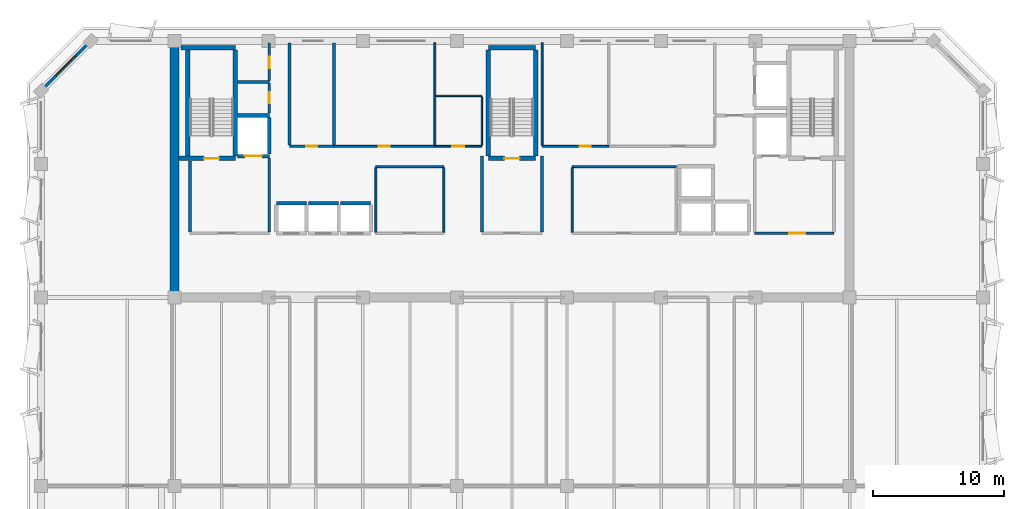
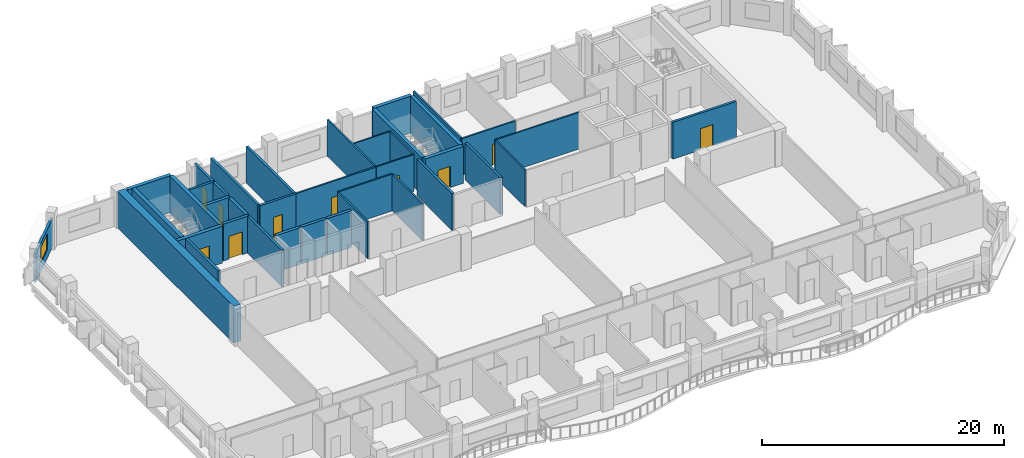
# One storey, part 6 of 11: 39 walls, 10 doors, 1 window, 11 openings.
"""IFC4 building model written with IfcOpenShell, lengths in metres."""

from ifc_helpers import new_model, si_unit, direction, frame, frame_2d, origin, place, context, subcontext, project, spatial, rectangle, extrude, material, layer, layer_set, type_object, element, fill, save


model = new_model("IFC4")

# Units and contexts
model_context = context("Model", 3, precision=1e-05, world=origin(), true_north=direction((0.0, 1.0)))
body_context = subcontext(model_context, "Body", "Model", "MODEL_VIEW")
ifc_project = project(units=[si_unit("LENGTHUNIT", "METRE"), si_unit("AREAUNIT", "SQUARE_METRE"), si_unit("VOLUMEUNIT", "CUBIC_METRE"), si_unit("PLANEANGLEUNIT", "RADIAN"), si_unit("MASSUNIT", "GRAM", prefix="KILO")], contexts=[model_context])

# Site, building, storey
site_placement = place(None, origin())
site = spatial("IfcSite", under=ifc_project, at=site_placement, CompositionType="ELEMENT")
building_placement = place(site_placement, origin())
building = spatial("IfcBuilding", under=site, at=building_placement, Name="Kaelvorn Grand Hotel", CompositionType="ELEMENT")
storey_placement = place(building_placement, frame((0.0, 0.0, 237.050048828125)))
storey = spatial("IfcBuildingStorey", under=building, at=storey_placement, Name="L58", CompositionType="ELEMENT", Elevation=237.050048828125)

# Wall
ifc_material_1 = material(Name="Concrete C50/60", Category="concrete")
ifc_layer_1 = layer(ifc_material_1, 0.699951171875)
ifc_layer_set_1 = layer_set([ifc_layer_1], Name="Concrete C50/60")
wall_type_1 = type_object("IfcWallType", Name="WL-CORE-700-C50", PredefinedType="SHEAR", material=ifc_layer_set_1)
wall_1_placement = place(storey_placement, frame((16.199951171875, 29.39990234375, 0.0), z_axis=(0.0, 0.0, 1.0), x_axis=(0.0, 1.0, 0.0)))
element("IfcWall", 1, at=wall_1_placement, inside=storey, type_object=wall_type_1, Name="L58 Rear-Core West Shear Wall", PredefinedType="SHEAR", context=body_context, shape_type="SweptSolid", body=[
    extrude(rectangle(XDim=19.2001953125, YDim=0.699951171875, at=frame_2d((9.60009765625, 0.0))), origin(), (0.0, 0.0, 1.0), 3.7099609375),
])

# Wall, opening, window
ifc_material_2 = material(Name="Concrete C40/50", Category="concrete")
ifc_layer_2 = layer(ifc_material_2, 0.219970703125)
ifc_layer_set_2 = layer_set([ifc_layer_2], Name="Concrete C40/50")
wall_type_2 = type_object("IfcWallType", Name="WL-EXT-220-C40", PredefinedType="SOLIDWALL", material=ifc_layer_set_2)
wall_2_placement = place(storey_placement, frame((9.800048828125, 49.0, 0.0), z_axis=(0.0, 0.0, 1.0), x_axis=(-0.707106781187, -0.707106781187, 0.0)))
wall_2 = element("IfcWall", 2, at=wall_2_placement, inside=storey, type_object=wall_type_2, Name="L58 Exterior Architectural Concrete Wall 06", PredefinedType="SOLIDWALL", context=body_context, shape_type="SweptSolid", body=[
    extrude(rectangle(XDim=5.3740234375, YDim=0.219970703125, at=frame_2d((2.68701171875, 0.0))), origin(), (0.0, 0.0, 1.0), 2.909912109375),
])
opening_1_placement = place(wall_2_placement, frame((1.636962890625, 0.0, 0.85009765625)))
opening_1 = element("IfcOpeningElement", 3, at=opening_1_placement, cuts=wall_2, Name="Opening W7", PredefinedType="OPENING", context=body_context, shape_type="SweptSolid", body=[
    extrude(rectangle(XDim=2.10009765625, YDim=1.60009765625, at=frame_2d((1.050048828125, 0.800048828125))), frame((0.0, 0.1201171875, 0.0), z_axis=(0.0, -1.0, 0.0), x_axis=(1.0, 0.0, 0.0)), (0.0, 0.0, 1.0), 0.239990234375),
])
ifc_material_3 = material(Name="Laminated Low-E Glass", Category="glass")
window_type = type_object("IfcWindowType", Name="WIN-CHM-2100x1600", PartitioningType="SINGLE_PANEL", PredefinedType="WINDOW", material=ifc_material_3)
window_placement = place(opening_1_placement, origin())
window = element("IfcWindow", 4, at=window_placement, inside=storey, type_object=window_type, Name="L58 Chamfered 45-Degree Corner Window NW", OverallHeight=1.60009765625, OverallWidth=2.10009765625, PartitioningType="SINGLE_PANEL", PredefinedType="WINDOW", context=body_context, shape_type="SweptSolid", body=[
    extrude(rectangle(XDim=2.10009765625, YDim=1.60009765625, at=frame_2d((1.050048828125, 0.800048828125))), frame((0.0, 0.030029296875, 0.0), z_axis=(0.0, -1.0, 0.0), x_axis=(1.0, 0.0, 0.0)), (0.0, 0.0, 1.0), 0.06005859375),
])
fill(opening_1, window)

# Wall, opening, door
ifc_material_4 = material(Name="Moisture-Resistant Tile & Stud Board")
ifc_layer_3 = layer(ifc_material_4, 0.125)
ifc_layer_set_3 = layer_set([ifc_layer_3], Name="Moisture-Resistant Tile & Stud Board")
wall_type_3 = type_object("IfcWallType", Name="WL-PART-125-WET", PredefinedType="PARTITIONING", material=ifc_layer_set_3)
wall_3_placement = place(storey_placement, frame((36.110107421875, 40.949951171875, 0.0), z_axis=(0.0, 0.0, 1.0), x_axis=(1.0, 0.0, 0.0)))
wall_3 = element("IfcWall", 5, at=wall_3_placement, inside=storey, type_object=wall_type_3, Name="L58 Accessible WC S Partition", PredefinedType="PARTITIONING", context=body_context, shape_type="SweptSolid", body=[
    extrude(rectangle(XDim=3.58984375, YDim=0.125, at=frame_2d((1.794921875, 0.0))), origin(), (0.0, 0.0, 1.0), 3.7099609375),
])
opening_2_placement = place(wall_3_placement, frame((1.340087890625, 0.0, 0.0)))
opening_2 = element("IfcOpeningElement", 6, at=opening_2_placement, cuts=wall_3, Name="Opening DI4", PredefinedType="OPENING", context=body_context, shape_type="SweptSolid", body=[
    extrude(rectangle(XDim=0.89990234375, YDim=2.10009765625, at=frame_2d((0.449951171875, 1.050048828125))), frame((0.0, 0.072509765625, 0.0), z_axis=(0.0, -1.0, 0.0), x_axis=(1.0, 0.0, 0.0)), (0.0, 0.0, 1.0), 0.14501953125),
])
ifc_material_5 = material(Name="Timber Veneer Leaf", Category="wood")
door_type_1 = type_object("IfcDoorType", Name="DR-INT-BATH-900x2100", OperationType="NOTDEFINED", PredefinedType="DOOR", material=ifc_material_5)
door_1_placement = place(opening_2_placement, origin())
door_1 = element("IfcDoor", 7, at=door_1_placement, inside=storey, type_object=door_type_1, Name="L58 Accessible WC Door", OperationType="SINGLE_SWING_LEFT", OverallHeight=2.10009765625, OverallWidth=0.89990234375, PredefinedType="DOOR", context=body_context, shape_type="SweptSolid", body=[
    extrude(rectangle(XDim=0.89990234375, YDim=2.10009765625, at=frame_2d((0.449951171875, 1.050048828125))), frame((0.0, 0.02490234375, 0.0), z_axis=(0.0, -1.0, 0.0), x_axis=(1.0, 0.0, 0.0)), (0.0, 0.0, 1.0), 0.050048828125),
])
fill(opening_2, door_1)

# Walls
wall_4_placement = place(storey_placement, frame((36.179931640625, 44.800048828125, 0.0), z_axis=(0.0, 0.0, 1.0), x_axis=(1.0, 0.0, 0.0)))
element("IfcWall", 8, at=wall_4_placement, inside=storey, type_object=wall_type_3, Name="L58 Accessible WC N Partition", PredefinedType="PARTITIONING", context=body_context, shape_type="SweptSolid", body=[
    extrude(rectangle(XDim=3.52001953125, YDim=0.125, at=frame_2d((1.760009765625, 0.0))), origin(), (0.0, 0.0, 1.0), 3.7099609375),
])
wall_5_placement = place(storey_placement, frame((39.699951171875, 41.017578125, 0.0), z_axis=(0.0, 0.0, 1.0), x_axis=(0.0, 1.0, 0.0)))
element("IfcWall", 9, at=wall_5_placement, inside=storey, type_object=wall_type_3, Name="L58 Accessible WC E Partition", PredefinedType="PARTITIONING", context=body_context, shape_type="SweptSolid", body=[
    extrude(rectangle(XDim=3.71484375, YDim=0.125, at=frame_2d((1.857421875, 0.0))), origin(), (0.0, 0.0, 1.0), 3.7099609375),
])
ifc_material_6 = material(Name="Acoustic Gypsum & Stud Partition")
ifc_layer_4 = layer(ifc_material_6, 0.14990234375)
ifc_layer_set_4 = layer_set([ifc_layer_4], Name="Acoustic Gypsum & Stud Partition")
wall_type_4 = type_object("IfcWallType", Name="WL-PART-150-EI60", PredefinedType="PARTITIONING", material=ifc_layer_set_4)
wall_6_placement = place(storey_placement, frame((31.60009765625, 39.39990234375, 0.0), z_axis=(0.0, 0.0, 1.0), x_axis=(1.0, 0.0, 0.0)))
element("IfcWall", 10, at=wall_6_placement, inside=storey, type_object=wall_type_4, Name="L58 Core Telecoms & BMS Server Room N Partition", PredefinedType="PARTITIONING", context=body_context, shape_type="SweptSolid", body=[
    extrude(rectangle(XDim=5.199951171875, YDim=0.14990234375, at=frame_2d((2.60009765625, 0.0))), origin(), (0.0, 0.0, 1.0), 3.7099609375),
])
for number, where, z_axis, x_axis, name in (
    (11, (31.60009765625, 34.3798828125, 0.0), (0.0, 0.0, 1.0), (0.0, 1.0, 0.0), "L58 Core Telecoms & BMS Server Room W Partition"),
    (12, (36.800048828125, 34.3798828125, 0.0), (0.0, 0.0, 1.0), (0.0, 1.0, 0.0), "L58 Core Telecoms & BMS Server Room E Partition"),
):
    element("IfcWall", number, at=place(storey_placement, frame(where, z_axis=z_axis, x_axis=x_axis)), inside=storey, type_object=wall_type_4, Name=name, PredefinedType="PARTITIONING", context=body_context, shape_type="SweptSolid", body=[
        extrude(rectangle(XDim=4.940185546875, YDim=0.14990234375, at=frame_2d((2.47021484375, 0.0))), origin(), (0.0, 0.0, 1.0), 3.7099609375),
    ])
wall_7_placement = place(storey_placement, frame((46.60009765625, 39.39990234375, 0.0), z_axis=(0.0, 0.0, 1.0), x_axis=(1.0, 0.0, 0.0)))
element("IfcWall", 13, at=wall_7_placement, inside=storey, type_object=wall_type_4, Name="L58 Sky Concierge & Butler Pantry Lounge N Partition", PredefinedType="PARTITIONING", context=body_context, shape_type="SweptSolid", body=[
    extrude(rectangle(XDim=7.949951171875, YDim=0.14990234375, at=frame_2d((3.97509765625, 0.0))), origin(), (0.0, 0.0, 1.0), 3.7099609375),
])
wall_8_placement = place(storey_placement, frame((46.60009765625, 34.3798828125, 0.0), z_axis=(0.0, 0.0, 1.0), x_axis=(0.0, 1.0, 0.0)))
element("IfcWall", 14, at=wall_8_placement, inside=storey, type_object=wall_type_4, Name="L58 Sky Concierge & Butler Pantry Lounge W Partition", PredefinedType="PARTITIONING", context=body_context, shape_type="SweptSolid", body=[
    extrude(rectangle(XDim=4.940185546875, YDim=0.14990234375, at=frame_2d((2.47021484375, 0.0))), origin(), (0.0, 0.0, 1.0), 3.7099609375),
])

# Wall, opening, door
wall_9_placement = place(storey_placement, frame((28.409912109375, 40.949951171875, 0.0), z_axis=(0.0, 0.0, 1.0), x_axis=(1.0, 0.0, 0.0)))
wall_9 = element("IfcWall", 15, at=wall_9_placement, inside=storey, type_object=wall_type_4, Name="L58 Housekeeping & Linen Room S Partition", PredefinedType="PARTITIONING", context=body_context, shape_type="SweptSolid", body=[
    extrude(rectangle(XDim=7.690185546875, YDim=0.14990234375, at=frame_2d((3.84521484375, 0.0))), origin(), (0.0, 0.0, 1.0), 3.7099609375),
])
opening_3_placement = place(wall_9_placement, frame((3.4150390625, 0.0, 0.0)))
opening_3 = element("IfcOpeningElement", 16, at=opening_3_placement, cuts=wall_9, Name="Opening DI7", PredefinedType="OPENING", context=body_context, shape_type="SweptSolid", body=[
    extrude(rectangle(XDim=0.85009765625, YDim=2.10009765625, at=frame_2d((0.425048828125, 1.050048828125))), frame((0.0, 0.0849609375, 0.0), z_axis=(0.0, -1.0, 0.0), x_axis=(1.0, 0.0, 0.0)), (0.0, 0.0, 1.0), 0.169921875),
])
ifc_material_7 = material(Name="Powder-Coated Steel Leaf", Category="steel")
door_type_2 = type_object("IfcDoorType", Name="DR-INT-RISER-850x2100", OperationType="NOTDEFINED", PredefinedType="DOOR", material=ifc_material_7)
door_2_placement = place(opening_3_placement, origin())
door_2 = element("IfcDoor", 17, at=door_2_placement, inside=storey, type_object=door_type_2, Name="L58 Housekeeping & Linen Room Door", OperationType="SINGLE_SWING_RIGHT", OverallHeight=2.10009765625, OverallWidth=0.85009765625, PredefinedType="DOOR", context=body_context, shape_type="SweptSolid", body=[
    extrude(rectangle(XDim=0.85009765625, YDim=2.10009765625, at=frame_2d((0.425048828125, 1.050048828125))), frame((0.0, 0.02490234375, 0.0), z_axis=(0.0, -1.0, 0.0), x_axis=(1.0, 0.0, 0.0)), (0.0, 0.0, 1.0), 0.050048828125),
])
fill(opening_3, door_2)

# Wall
wall_10_placement = place(storey_placement, frame((36.10009765625, 41.030029296875, 0.0), z_axis=(0.0, 0.0, 1.0), x_axis=(0.0, 1.0, 0.0)))
element("IfcWall", 18, at=wall_10_placement, inside=storey, type_object=wall_type_4, Name="L58 Housekeeping & Linen Room E Partition", PredefinedType="PARTITIONING", context=body_context, shape_type="SweptSolid", body=[
    extrude(rectangle(XDim=7.820068359375, YDim=0.14990234375, at=frame_2d((3.91015625, 0.0))), origin(), (0.0, 0.0, 1.0), 3.7099609375),
])

# Wall, opening, door
wall_11_placement = place(storey_placement, frame((44.300048828125, 40.949951171875, 0.0), z_axis=(0.0, 0.0, 1.0), x_axis=(1.0, 0.0, 0.0)))
wall_11 = element("IfcWall", 19, at=wall_11_placement, inside=storey, type_object=wall_type_4, Name="L58 Laundry Chute Vestibule S Partition", PredefinedType="PARTITIONING", context=body_context, shape_type="SweptSolid", body=[
    extrude(rectangle(XDim=5.099853515625, YDim=0.14990234375, at=frame_2d((2.5498046875, 0.0))), origin(), (0.0, 0.0, 1.0), 3.7099609375),
])
opening_4_placement = place(wall_11_placement, frame((2.875, 0.0, 0.0)))
opening_4 = element("IfcOpeningElement", 20, at=opening_4_placement, cuts=wall_11, Name="Opening DI7", PredefinedType="OPENING", context=body_context, shape_type="SweptSolid", body=[
    extrude(rectangle(XDim=0.85009765625, YDim=2.10009765625, at=frame_2d((0.425048828125, 1.050048828125))), frame((0.0, 0.0849609375, 0.0), z_axis=(0.0, -1.0, 0.0), x_axis=(1.0, 0.0, 0.0)), (0.0, 0.0, 1.0), 0.169921875),
])
door_3_placement = place(opening_4_placement, origin())
door_3 = element("IfcDoor", 21, at=door_3_placement, inside=storey, type_object=door_type_2, Name="L58 Laundry Chute Vestibule Door", OperationType="SINGLE_SWING_RIGHT", OverallHeight=2.10009765625, OverallWidth=0.85009765625, PredefinedType="DOOR", context=body_context, shape_type="SweptSolid", body=[
    extrude(rectangle(XDim=0.85009765625, YDim=2.10009765625, at=frame_2d((0.425048828125, 1.050048828125))), frame((0.0, 0.02490234375, 0.0), z_axis=(0.0, -1.0, 0.0), x_axis=(1.0, 0.0, 0.0)), (0.0, 0.0, 1.0), 0.050048828125),
])
fill(opening_4, door_3)

# Walls
wall_12_placement = place(storey_placement, frame((44.300048828125, 41.030029296875, 0.0), z_axis=(0.0, 0.0, 1.0), x_axis=(0.0, 1.0, 0.0)))
element("IfcWall", 22, at=wall_12_placement, inside=storey, type_object=wall_type_4, Name="L58 Laundry Chute Vestibule W Partition", PredefinedType="PARTITIONING", context=body_context, shape_type="SweptSolid", body=[
    extrude(rectangle(XDim=7.820068359375, YDim=0.14990234375, at=frame_2d((3.91015625, 0.0))), origin(), (0.0, 0.0, 1.0), 3.7099609375),
])
ifc_layer_5 = layer(ifc_material_2, 0.219970703125)
ifc_layer_set_5 = layer_set([ifc_layer_5], Name="Concrete C40/50")
wall_type_5 = type_object("IfcWallType", Name="WL-PART-220-EI120", PredefinedType="PARTITIONING", material=ifc_layer_set_5)
wall_13_placement = place(storey_placement, frame((17.39990234375, 34.4150390625, 0.0), z_axis=(0.0, 0.0, 1.0), x_axis=(0.0, 1.0, 0.0)))
element("IfcWall", 23, at=wall_13_placement, inside=storey, type_object=wall_type_5, Name="L58 Firefighting Lift Lobby 1 W Partition", PredefinedType="PARTITIONING", context=body_context, shape_type="SweptSolid", body=[
    extrude(rectangle(XDim=5.429931640625, YDim=0.219970703125, at=frame_2d((2.71484375, 0.0))), origin(), (0.0, 0.0, 1.0), 3.7099609375),
])
wall_14_placement = place(storey_placement, frame((23.449951171875, 34.4150390625, 0.0), z_axis=(0.0, 0.0, 1.0), x_axis=(0.0, 1.0, 0.0)))
element("IfcWall", 24, at=wall_14_placement, inside=storey, type_object=wall_type_5, Name="L58 Firefighting Lift Lobby 1 E Partition", PredefinedType="PARTITIONING", context=body_context, shape_type="SweptSolid", body=[
    extrude(rectangle(XDim=5.639892578125, YDim=0.219970703125, at=frame_2d((2.81982421875, 0.0))), origin(), (0.0, 0.0, 1.0), 3.7099609375),
])

# Wall, opening, door
wall_15_placement = place(storey_placement, frame((60.550048828125, 34.300048828125, 0.0), z_axis=(0.0, 0.0, 1.0), x_axis=(1.0, 0.0, 0.0)))
wall_15 = element("IfcWall", 25, at=wall_15_placement, inside=storey, type_object=wall_type_5, Name="L58 Firefighting Lift Lobby 2 S Partition", PredefinedType="PARTITIONING", context=body_context, shape_type="SweptSolid", body=[
    extrude(rectangle(XDim=6.050048828125, YDim=0.219970703125, at=frame_2d((3.02490234375, 0.0))), origin(), (0.0, 0.0, 1.0), 3.7099609375),
])
opening_5_placement = place(wall_15_placement, frame((2.64990234375, 0.0, 0.0)))
opening_5 = element("IfcOpeningElement", 26, at=opening_5_placement, cuts=wall_15, Name="Opening DI2", PredefinedType="OPENING", context=body_context, shape_type="SweptSolid", body=[
    extrude(rectangle(XDim=1.199951171875, YDim=2.14990234375, at=frame_2d((0.60009765625, 1.074951171875))), frame((0.0, 0.1201171875, 0.0), z_axis=(0.0, -1.0, 0.0), x_axis=(1.0, 0.0, 0.0)), (0.0, 0.0, 1.0), 0.239990234375),
])
ifc_material_8 = material(Name="Timber Veneer Fire Leaf", Category="wood")
door_type_3 = type_object("IfcDoorType", Name="DR-INT-FFLOB-1200x2150", OperationType="NOTDEFINED", PredefinedType="DOOR", material=ifc_material_8)
door_4_placement = place(opening_5_placement, origin())
door_4 = element("IfcDoor", 27, at=door_4_placement, inside=storey, type_object=door_type_3, Name="L58 Firefighting Lift Lobby 2 Door", OperationType="SINGLE_SWING_RIGHT", OverallHeight=2.14990234375, OverallWidth=1.199951171875, PredefinedType="DOOR", context=body_context, shape_type="SweptSolid", body=[
    extrude(rectangle(XDim=1.199951171875, YDim=2.14990234375, at=frame_2d((0.60009765625, 1.074951171875))), frame((0.0, 0.02490234375, 0.0), z_axis=(0.0, -1.0, 0.0), x_axis=(1.0, 0.0, 0.0)), (0.0, 0.0, 1.0), 0.050048828125),
])
fill(opening_5, door_4)

# Walls
for number, where, z_axis, x_axis, name in (
    (28, (39.699951171875, 34.4150390625, 0.0), (0.0, 0.0, 1.0), (0.0, 1.0, 0.0), "L58 Central Stair Escape Vestibule W Partition"),
    (29, (44.300048828125, 34.4150390625, 0.0), (0.0, 0.0, 1.0), (0.0, 1.0, 0.0), "L58 Central Stair Escape Vestibule E Partition"),
):
    element("IfcWall", number, at=place(storey_placement, frame(where, z_axis=z_axis, x_axis=x_axis)), inside=storey, type_object=wall_type_5, Name=name, PredefinedType="PARTITIONING", context=body_context, shape_type="SweptSolid", body=[
        extrude(rectangle(XDim=5.784912109375, YDim=0.219970703125, at=frame_2d((2.892578125, 0.0))), origin(), (0.0, 0.0, 1.0), 3.7099609375),
    ])
wall_16_placement = place(storey_placement, frame((21.034912109375, 45.85009765625, 0.0), z_axis=(0.0, 0.0, 1.0), x_axis=(1.0, 0.0, 0.0)))
element("IfcWall", 30, at=wall_16_placement, inside=storey, type_object=wall_type_5, Name="L58 Wet Fire & Plumbing Riser Shaft N Partition", PredefinedType="PARTITIONING", context=body_context, shape_type="SweptSolid", body=[
    extrude(rectangle(XDim=2.4150390625, YDim=0.219970703125, at=frame_2d((1.20751953125, 0.0))), origin(), (0.0, 0.0, 1.0), 3.7099609375),
])

# Wall, opening, door
wall_17_placement = place(storey_placement, frame((23.449951171875, 43.5, 0.0), z_axis=(0.0, 0.0, 1.0), x_axis=(0.0, 1.0, 0.0)))
wall_17 = element("IfcWall", 31, at=wall_17_placement, inside=storey, type_object=wall_type_5, Name="L58 Wet Fire & Plumbing Riser Shaft E Partition", PredefinedType="PARTITIONING", context=body_context, shape_type="SweptSolid", body=[
    extrude(rectangle(XDim=2.235107421875, YDim=0.219970703125, at=frame_2d((1.11767578125, 0.0))), origin(), (0.0, 0.0, 1.0), 3.7099609375),
])
opening_6_placement = place(wall_17_placement, frame((0.72509765625, 0.0, 0.0)))
opening_6 = element("IfcOpeningElement", 32, at=opening_6_placement, cuts=wall_17, Name="Opening DI7", PredefinedType="OPENING", context=body_context, shape_type="SweptSolid", body=[
    extrude(rectangle(XDim=0.85009765625, YDim=2.10009765625, at=frame_2d((0.425048828125, 1.050048828125))), frame((0.0, 0.1201171875, 0.0), z_axis=(0.0, -1.0, 0.0), x_axis=(1.0, 0.0, 0.0)), (0.0, 0.0, 1.0), 0.239990234375),
])
door_5_placement = place(opening_6_placement, origin())
door_5 = element("IfcDoor", 33, at=door_5_placement, inside=storey, type_object=door_type_2, Name="L58 Wet Fire & Plumbing Riser Shaft Door", OperationType="SINGLE_SWING_LEFT", OverallHeight=2.10009765625, OverallWidth=0.85009765625, PredefinedType="DOOR", context=body_context, shape_type="SweptSolid", body=[
    extrude(rectangle(XDim=0.85009765625, YDim=2.10009765625, at=frame_2d((0.425048828125, 1.050048828125))), frame((0.0, 0.02490234375, 0.0), z_axis=(0.0, -1.0, 0.0), x_axis=(1.0, 0.0, 0.0)), (0.0, 0.0, 1.0), 0.050048828125),
])
fill(opening_6, door_5)

wall_18_placement = place(storey_placement, frame((23.449951171875, 45.965087890625, 0.0), z_axis=(0.0, 0.0, 1.0), x_axis=(0.0, 1.0, 0.0)))
wall_18 = element("IfcWall", 34, at=wall_18_placement, inside=storey, type_object=wall_type_5, Name="L58 HV Electrical & Smoke Riser E Partition", PredefinedType="PARTITIONING", context=body_context, shape_type="SweptSolid", body=[
    extrude(rectangle(XDim=2.885009765625, YDim=0.219970703125, at=frame_2d((1.4423828125, 0.0))), origin(), (0.0, 0.0, 1.0), 3.7099609375),
])
opening_7_placement = place(wall_18_placement, frame((0.9599609375, 0.0, 0.0)))
opening_7 = element("IfcOpeningElement", 35, at=opening_7_placement, cuts=wall_18, Name="Opening DI7", PredefinedType="OPENING", context=body_context, shape_type="SweptSolid", body=[
    extrude(rectangle(XDim=0.85009765625, YDim=2.10009765625, at=frame_2d((0.425048828125, 1.050048828125))), frame((0.0, 0.1201171875, 0.0), z_axis=(0.0, -1.0, 0.0), x_axis=(1.0, 0.0, 0.0)), (0.0, 0.0, 1.0), 0.239990234375),
])
door_6_placement = place(opening_7_placement, origin())
door_6 = element("IfcDoor", 36, at=door_6_placement, inside=storey, type_object=door_type_2, Name="L58 HV Electrical & Smoke Riser Door", OperationType="SINGLE_SWING_RIGHT", OverallHeight=2.10009765625, OverallWidth=0.85009765625, PredefinedType="DOOR", context=body_context, shape_type="SweptSolid", body=[
    extrude(rectangle(XDim=0.85009765625, YDim=2.10009765625, at=frame_2d((0.425048828125, 1.050048828125))), frame((0.0, 0.02490234375, 0.0), z_axis=(0.0, -1.0, 0.0), x_axis=(1.0, 0.0, 0.0)), (0.0, 0.0, 1.0), 0.050048828125),
])
fill(opening_7, door_6)

wall_19_placement = place(storey_placement, frame((25.0, 40.949951171875, 0.0), z_axis=(0.0, 0.0, 1.0), x_axis=(1.0, 0.0, 0.0)))
wall_19 = element("IfcWall", 37, at=wall_19_placement, inside=storey, type_object=wall_type_5, Name="L58 Electrical Distribution Room S Partition", PredefinedType="PARTITIONING", context=body_context, shape_type="SweptSolid", body=[
    extrude(rectangle(XDim=3.39990234375, YDim=0.219970703125, at=frame_2d((1.699951171875, 0.0))), origin(), (0.0, 0.0, 1.0), 3.7099609375),
])
opening_8_placement = place(wall_19_placement, frame((1.27490234375, 0.0, 0.0)))
opening_8 = element("IfcOpeningElement", 38, at=opening_8_placement, cuts=wall_19, Name="Opening DI7", PredefinedType="OPENING", context=body_context, shape_type="SweptSolid", body=[
    extrude(rectangle(XDim=0.85009765625, YDim=2.10009765625, at=frame_2d((0.425048828125, 1.050048828125))), frame((0.0, 0.1201171875, 0.0), z_axis=(0.0, -1.0, 0.0), x_axis=(1.0, 0.0, 0.0)), (0.0, 0.0, 1.0), 0.239990234375),
])
door_7_placement = place(opening_8_placement, origin())
door_7 = element("IfcDoor", 39, at=door_7_placement, inside=storey, type_object=door_type_2, Name="L58 Electrical Distribution Room Door", OperationType="SINGLE_SWING_LEFT", OverallHeight=2.10009765625, OverallWidth=0.85009765625, PredefinedType="DOOR", context=body_context, shape_type="SweptSolid", body=[
    extrude(rectangle(XDim=0.85009765625, YDim=2.10009765625, at=frame_2d((0.425048828125, 1.050048828125))), frame((0.0, 0.02490234375, 0.0), z_axis=(0.0, -1.0, 0.0), x_axis=(1.0, 0.0, 0.0)), (0.0, 0.0, 1.0), 0.050048828125),
])
fill(opening_8, door_7)

# Walls
for number, where, z_axis, x_axis, name in (
    (40, (25.0, 41.06494140625, 0.0), (0.0, 0.0, 1.0), (0.0, 1.0, 0.0), "L58 Electrical Distribution Room W Partition"),
    (41, (28.39990234375, 41.06494140625, 0.0), (0.0, 0.0, 1.0), (0.0, 1.0, 0.0), "L58 Electrical Distribution Room E Partition"),
):
    element("IfcWall", number, at=place(storey_placement, frame(where, z_axis=z_axis, x_axis=x_axis)), inside=storey, type_object=wall_type_5, Name=name, PredefinedType="PARTITIONING", context=body_context, shape_type="SweptSolid", body=[
        extrude(rectangle(XDim=7.78515625, YDim=0.219970703125, at=frame_2d((3.892578125, 0.0))), origin(), (0.0, 0.0, 1.0), 3.7099609375),
    ])
ifc_layer_6 = layer(ifc_material_1, 0.280029296875)
ifc_layer_set_6 = layer_set([ifc_layer_6], Name="Concrete C50/60")
wall_type_6 = type_object("IfcWallType", Name="WL-SHAFT-280-C50", PredefinedType="SHEAR", material=ifc_layer_set_6)
for number, where, z_axis, x_axis, name in (
    (42, (24.0, 36.60009765625, 0.0), (0.0, 0.0, 1.0), (1.0, 0.0, 0.0), "L58 Lift PL-H1 Shaft North Wall"),
    (43, (26.449951171875, 36.60009765625, 0.0), (0.0, 0.0, 1.0), (1.0, 0.0, 0.0), "L58 Lift PL-H2 Shaft North Wall"),
    (44, (28.89990234375, 36.60009765625, 0.0), (0.0, 0.0, 1.0), (1.0, 0.0, 0.0), "L58 Lift PL-H3 Shaft North Wall"),
):
    element("IfcWall", number, at=place(storey_placement, frame(where, z_axis=z_axis, x_axis=x_axis)), inside=storey, type_object=wall_type_6, Name=name, PredefinedType="SHEAR", context=body_context, shape_type="SweptSolid", body=[
        extrude(rectangle(XDim=2.300048828125, YDim=0.280029296875, at=frame_2d((1.14990234375, 0.0))), origin(), (0.0, 0.0, 1.0), 3.7099609375),
    ])

# Wall, opening, door
wall_20_placement = place(storey_placement, frame((21.034912109375, 40.199951171875, 0.0), z_axis=(0.0, 0.0, 1.0), x_axis=(1.0, 0.0, 0.0)))
wall_20 = element("IfcWall", 45, at=wall_20_placement, inside=storey, type_object=wall_type_6, Name="L58 Lift FFL1 Shaft South Wall", PredefinedType="SHEAR", context=body_context, shape_type="SweptSolid", body=[
    extrude(rectangle(XDim=2.4150390625, YDim=0.280029296875, at=frame_2d((1.20751953125, 0.0))), origin(), (0.0, 0.0, 1.0), 3.7099609375),
])
opening_9_placement = place(wall_20_placement, frame((0.5400390625, 0.0, 0.0)))
opening_9 = element("IfcOpeningElement", 46, at=opening_9_placement, cuts=wall_20, Name="Opening LD-FFL1", PredefinedType="OPENING", context=body_context, shape_type="SweptSolid", body=[
    extrude(rectangle(XDim=1.300048828125, YDim=2.300048828125, at=frame_2d((0.64990234375, 1.14990234375))), frame((0.0, 0.14990234375, 0.0), z_axis=(0.0, -1.0, 0.0), x_axis=(1.0, 0.0, 0.0)), (0.0, 0.0, 1.0), 0.300048828125),
])
ifc_material_9 = material(Name="Stainless Steel", Category="steel")
door_type_4 = type_object("IfcDoorType", Name="DR-LIFT-SERV-1300x2300", OperationType="DOUBLE_DOOR_SLIDING", PredefinedType="DOOR", material=ifc_material_9)
door_8_placement = place(opening_9_placement, origin())
door_8 = element("IfcDoor", 47, at=door_8_placement, inside=storey, type_object=door_type_4, Name="L58 Lift FFL1 Sliding Landing Door LD-FFL1", OperationType="DOUBLE_DOOR_SLIDING", OverallHeight=2.300048828125, OverallWidth=1.300048828125, PredefinedType="DOOR", context=body_context, shape_type="SweptSolid", body=[
    extrude(rectangle(XDim=1.300048828125, YDim=2.300048828125, at=frame_2d((0.64990234375, 1.14990234375))), frame((0.0, 0.02490234375, 0.0), z_axis=(0.0, -1.0, 0.0), x_axis=(1.0, 0.0, 0.0)), (0.0, 0.0, 1.0), 0.050048828125),
])
fill(opening_9, door_8)

# Walls
wall_21_placement = place(storey_placement, frame((21.034912109375, 43.300048828125, 0.0), z_axis=(0.0, 0.0, 1.0), x_axis=(1.0, 0.0, 0.0)))
element("IfcWall", 48, at=wall_21_placement, inside=storey, type_object=wall_type_6, Name="L58 Lift FFL1 Shaft North Wall", PredefinedType="SHEAR", context=body_context, shape_type="SweptSolid", body=[
    extrude(rectangle(XDim=2.4150390625, YDim=0.280029296875, at=frame_2d((1.20751953125, 0.0))), origin(), (0.0, 0.0, 1.0), 3.7099609375),
])
wall_22_placement = place(storey_placement, frame((23.449951171875, 40.344970703125, 0.0), z_axis=(0.0, 0.0, 1.0), x_axis=(0.0, 1.0, 0.0)))
element("IfcWall", 49, at=wall_22_placement, inside=storey, type_object=wall_type_6, Name="L58 Lift FFL1 Shaft East Wall", PredefinedType="SHEAR", context=body_context, shape_type="SweptSolid", body=[
    extrude(rectangle(XDim=2.81005859375, YDim=0.280029296875, at=frame_2d((1.405029296875, 0.0))), origin(), (0.0, 0.0, 1.0), 3.7099609375),
])

# Wall, opening, door
ifc_material_10 = material(Name="Concrete C60/75", Category="concrete")
ifc_layer_7 = layer(ifc_material_10, 0.35009765625)
ifc_layer_set_7 = layer_set([ifc_layer_7], Name="Concrete C60/75")
wall_type_7 = type_object("IfcWallType", Name="WL-SHAFT-350-C60", PredefinedType="SHEAR", material=ifc_layer_set_7)
wall_23_placement = place(storey_placement, frame((16.554931640625, 40.02490234375, 0.0), z_axis=(0.0, 0.0, 1.0), x_axis=(1.0, 0.0, 0.0)))
wall_23 = element("IfcWall", 50, at=wall_23_placement, inside=storey, type_object=wall_type_7, Name="L58 ST1 Stair Shaft South Wall", PredefinedType="SHEAR", context=body_context, shape_type="SweptSolid", body=[
    extrude(rectangle(XDim=4.300048828125, YDim=0.35009765625, at=frame_2d((2.14990234375, 0.0))), origin(), (0.0, 0.0, 1.0), 3.7099609375),
])
opening_10_placement = place(wall_23_placement, frame((1.909912109375, 0.0, 0.0)))
opening_10 = element("IfcOpeningElement", 51, at=opening_10_placement, cuts=wall_23, Name="Opening DI1", PredefinedType="OPENING", context=body_context, shape_type="SweptSolid", body=[
    extrude(rectangle(XDim=1.14990234375, YDim=2.14990234375, at=frame_2d((0.574951171875, 1.074951171875))), frame((0.0, 0.18505859375, 0.0), z_axis=(0.0, -1.0, 0.0), x_axis=(1.0, 0.0, 0.0)), (0.0, 0.0, 1.0), 0.3701171875),
])
door_type_5 = type_object("IfcDoorType", Name="DR-INT-STAIR-1150x2150", OperationType="NOTDEFINED", PredefinedType="DOOR", material=ifc_material_8)
door_9_placement = place(opening_10_placement, origin())
door_9 = element("IfcDoor", 52, at=door_9_placement, inside=storey, type_object=door_type_5, Name="L58 ST1 Exit Stair Fire Door", OperationType="SINGLE_SWING_RIGHT", OverallHeight=2.14990234375, OverallWidth=1.14990234375, PredefinedType="DOOR", context=body_context, shape_type="SweptSolid", body=[
    extrude(rectangle(XDim=1.14990234375, YDim=2.14990234375, at=frame_2d((0.574951171875, 1.074951171875))), frame((0.0, 0.02490234375, 0.0), z_axis=(0.0, -1.0, 0.0), x_axis=(1.0, 0.0, 0.0)), (0.0, 0.0, 1.0), 0.050048828125),
])
fill(opening_10, door_9)

# Walls
wall_24_placement = place(storey_placement, frame((16.705078125, 48.47509765625, 0.0), z_axis=(0.0, 0.0, 1.0), x_axis=(1.0, 0.0, 0.0)))
element("IfcWall", 53, at=wall_24_placement, inside=storey, type_object=wall_type_7, Name="L58 ST1 Stair Shaft North Wall", PredefinedType="SHEAR", context=body_context, shape_type="SweptSolid", body=[
    extrude(rectangle(XDim=4.14990234375, YDim=0.35009765625, at=frame_2d((2.074951171875, 0.0))), origin(), (0.0, 0.0, 1.0), 3.7099609375),
])
for number, where, z_axis, x_axis, name in (
    (54, (17.22509765625, 40.205078125, 0.0), (0.0, 0.0, 1.0), (0.0, 1.0, 0.0), "L58 ST1 Stair Shaft West Wall"),
    (55, (20.85498046875, 40.205078125, 0.0), (0.0, 0.0, 1.0), (0.0, 1.0, 0.0), "L58 ST1 Stair Shaft East Wall"),
):
    element("IfcWall", number, at=place(storey_placement, frame(where, z_axis=z_axis, x_axis=x_axis)), inside=storey, type_object=wall_type_7, Name=name, PredefinedType="SHEAR", context=body_context, shape_type="SweptSolid", body=[
        extrude(rectangle(XDim=8.08984375, YDim=0.35009765625, at=frame_2d((4.044921875, 0.0))), origin(), (0.0, 0.0, 1.0), 3.7099609375),
    ])

# Wall, opening, door
wall_25_placement = place(storey_placement, frame((40.18505859375, 40.02490234375, 0.0), z_axis=(0.0, 0.0, 1.0), x_axis=(1.0, 0.0, 0.0)))
wall_25 = element("IfcWall", 56, at=wall_25_placement, inside=storey, type_object=wall_type_7, Name="L58 ST2 Stair Shaft South Wall", PredefinedType="SHEAR", context=body_context, shape_type="SweptSolid", body=[
    extrude(rectangle(XDim=3.6298828125, YDim=0.35009765625, at=frame_2d((1.81494140625, 0.0))), origin(), (0.0, 0.0, 1.0), 3.7099609375),
])
opening_11_placement = place(wall_25_placement, frame((1.239990234375, 0.0, 0.0)))
opening_11 = element("IfcOpeningElement", 57, at=opening_11_placement, cuts=wall_25, Name="Opening DI1", PredefinedType="OPENING", context=body_context, shape_type="SweptSolid", body=[
    extrude(rectangle(XDim=1.14990234375, YDim=2.14990234375, at=frame_2d((0.574951171875, 1.074951171875))), frame((0.0, 0.18505859375, 0.0), z_axis=(0.0, -1.0, 0.0), x_axis=(1.0, 0.0, 0.0)), (0.0, 0.0, 1.0), 0.3701171875),
])
door_10_placement = place(opening_11_placement, origin())
door_10 = element("IfcDoor", 58, at=door_10_placement, inside=storey, type_object=door_type_5, Name="L58 ST2 Exit Stair Fire Door", OperationType="SINGLE_SWING_LEFT", OverallHeight=2.14990234375, OverallWidth=1.14990234375, PredefinedType="DOOR", context=body_context, shape_type="SweptSolid", body=[
    extrude(rectangle(XDim=1.14990234375, YDim=2.14990234375, at=frame_2d((0.574951171875, 1.074951171875))), frame((0.0, 0.02490234375, 0.0), z_axis=(0.0, -1.0, 0.0), x_axis=(1.0, 0.0, 0.0)), (0.0, 0.0, 1.0), 0.050048828125),
])
fill(opening_11, door_10)

# Walls
wall_26_placement = place(storey_placement, frame((40.18505859375, 48.47509765625, 0.0), z_axis=(0.0, 0.0, 1.0), x_axis=(1.0, 0.0, 0.0)))
element("IfcWall", 59, at=wall_26_placement, inside=storey, type_object=wall_type_7, Name="L58 ST2 Stair Shaft North Wall", PredefinedType="SHEAR", context=body_context, shape_type="SweptSolid", body=[
    extrude(rectangle(XDim=3.6298828125, YDim=0.35009765625, at=frame_2d((1.81494140625, 0.0))), origin(), (0.0, 0.0, 1.0), 3.7099609375),
])
for number, where, z_axis, x_axis, name in (
    (60, (40.18505859375, 40.205078125, 0.0), (0.0, 0.0, 1.0), (0.0, 1.0, 0.0), "L58 ST2 Stair Shaft West Wall"),
    (61, (43.81494140625, 40.205078125, 0.0), (0.0, 0.0, 1.0), (0.0, 1.0, 0.0), "L58 ST2 Stair Shaft East Wall"),
):
    element("IfcWall", number, at=place(storey_placement, frame(where, z_axis=z_axis, x_axis=x_axis)), inside=storey, type_object=wall_type_7, Name=name, PredefinedType="SHEAR", context=body_context, shape_type="SweptSolid", body=[
        extrude(rectangle(XDim=8.08984375, YDim=0.35009765625, at=frame_2d((4.044921875, 0.0))), origin(), (0.0, 0.0, 1.0), 3.7099609375),
    ])

save(model, "model.ifc")
